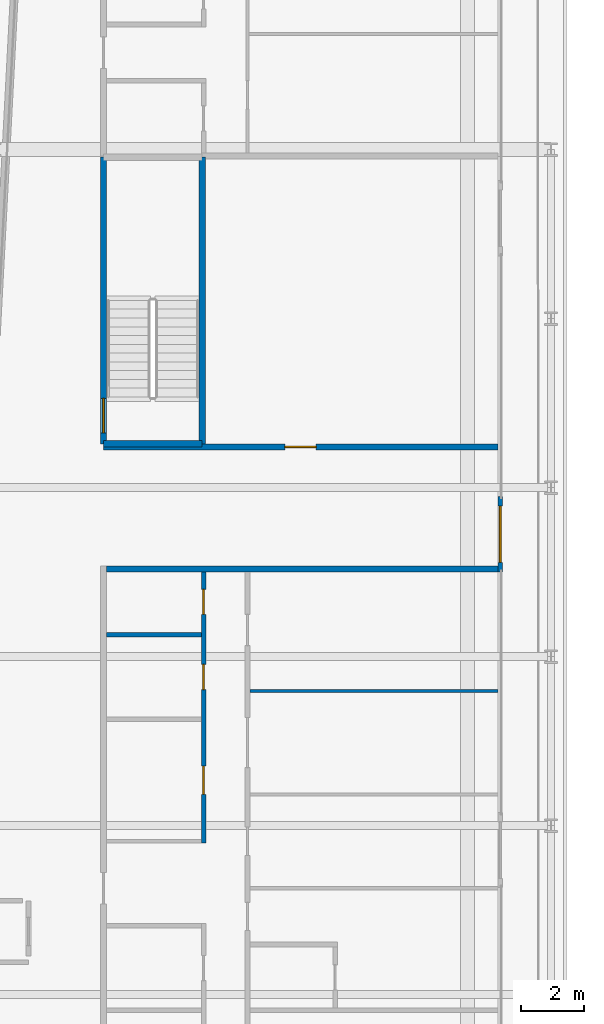
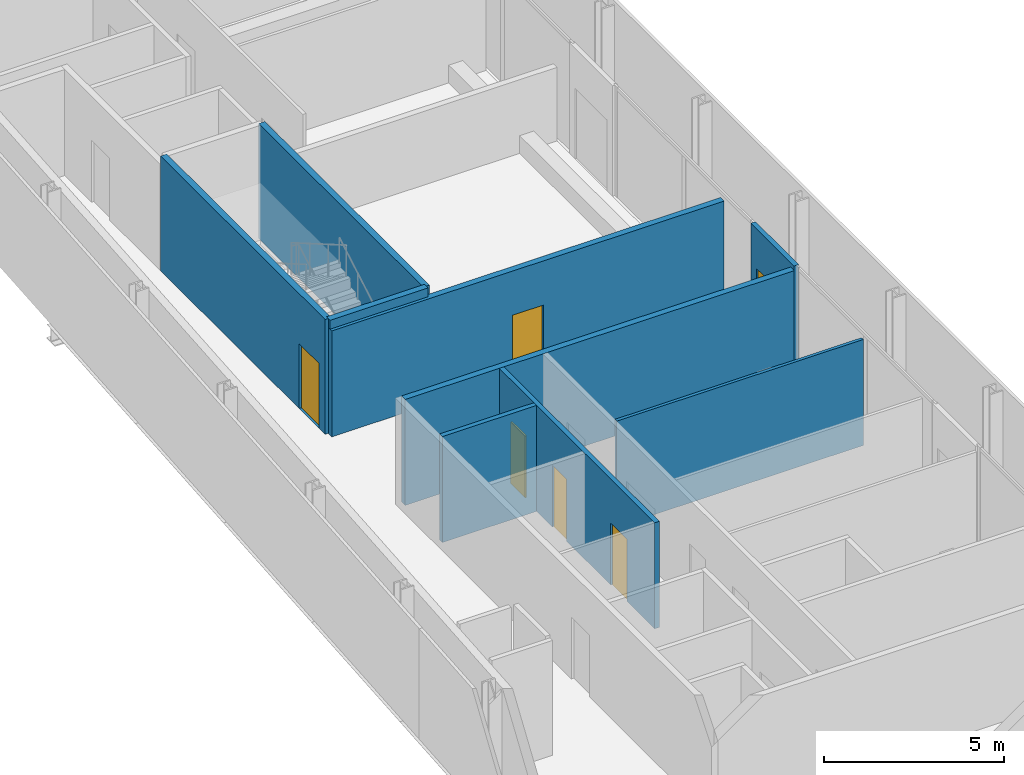
# One storey, part 19 of 29: 9 walls, 6 doors, 6 openings.
"""IFC4 building model written with IfcOpenShell, lengths in metres."""

from ifc_helpers import new_model, si_unit, direction, frame, frame_2d, origin, place, context, subcontext, project, spatial, rectangle, extrude, source, transform, mapped, material, layer, layer_set, type_object, element, fill, save


model = new_model("IFC4")

# Units and contexts
model_context = context("Model", 3, precision=1e-05, world=origin(), true_north=direction((0.0, 1.0)))
body_context = subcontext(model_context, "Body", "Model", "MODEL_VIEW")
ifc_project = project(units=[si_unit("LENGTHUNIT", "METRE"), si_unit("AREAUNIT", "SQUARE_METRE"), si_unit("VOLUMEUNIT", "CUBIC_METRE"), si_unit("PLANEANGLEUNIT", "RADIAN"), si_unit("MASSUNIT", "GRAM", prefix="KILO")], contexts=[model_context])

# Site, building, storey
site_placement = place(None, origin())
site = spatial("IfcSite", under=ifc_project, at=site_placement, CompositionType="ELEMENT")
building_placement = place(site_placement, origin())
building = spatial("IfcBuilding", under=site, at=building_placement, Name="Kheshtan School and Residences Tower", CompositionType="ELEMENT")
storey_placement = place(building_placement, frame((0.0, 0.0, 168.199951171875)))
storey = spatial("IfcBuildingStorey", under=building, at=storey_placement, Name="L39", CompositionType="ELEMENT", Elevation=168.199951171875)

# Wall, opening, door
ifc_material_1 = material(Name="Gypsum board on steel studs with fire boards", Category="steel")
ifc_layer_1 = layer(ifc_material_1, 0.199951171875)
ifc_layer_set_1 = layer_set([ifc_layer_1], Name="Corridor wall 200")
wall_type_1 = type_object("IfcWallType", Name="Corridor wall 200", PredefinedType="PARTITIONING", material=ifc_layer_set_1)
wall_1_placement = place(storey_placement, frame((33.300048828125, 79.300048828125, 0.0), z_axis=(0.0, 0.0, 1.0), x_axis=(1.0, 0.0, 0.0)))
wall_1 = element("IfcWall", 1, at=wall_1_placement, inside=storey, type_object=wall_type_1, Name="Partition L39-004", PredefinedType="PARTITIONING", context=body_context, shape_type="SweptSolid", body=[
    extrude(rectangle(XDim=12.599853515625, YDim=0.199951171875, at=frame_2d((6.2998046875, 0.0))), origin(), (0.0, 0.0, 1.0), 3.60009765625),
])
opening_1_placement = place(wall_1_placement, frame((5.794921875, 0.0, 0.0)))
opening_1 = element("IfcOpeningElement", 2, at=opening_1_placement, cuts=wall_1, Name="Opening D39-052", PredefinedType="OPENING", context=body_context, shape_type="SweptSolid", body=[
    extrude(rectangle(XDim=1.0, YDim=2.10009765625, at=frame_2d((0.5, 1.050048828125))), frame((0.0, 0.10986328125, 0.0), z_axis=(0.0, -1.0, 0.0), x_axis=(1.0, 0.0, 0.0)), (0.0, 0.0, 1.0), 0.219970703125),
])
ifc_material_2 = material(Name="Steel-framed fire-resisting door leaf", Category="steel")
door_type_1 = type_object("IfcDoorType", Name="Fire door FD60 1000 x 2100", OperationType="SINGLE_SWING_LEFT", PredefinedType="DOOR", material=ifc_material_2)
shared_shape_1 = source(origin(), body_context, "Body", "SweptSolid", [
    extrude(rectangle(XDim=1.0, YDim=2.10009765625, at=frame_2d((0.5, 1.050048828125))), frame((0.0, 0.02490234375, 0.0), z_axis=(0.0, -1.0, 0.0), x_axis=(1.0, 0.0, 0.0)), (0.0, 0.0, 1.0), 0.050048828125),
])
door_1_placement = place(opening_1_placement, origin())
door_1 = element("IfcDoor", 3, at=door_1_placement, inside=storey, type_object=door_type_1, Name="Door D39-052", OperationType="SINGLE_SWING_RIGHT", OverallHeight=2.10009765625, OverallWidth=1.0, PredefinedType="DOOR", context=body_context, shape_type="MappedRepresentation", body=[
    mapped(shared_shape_1, transform((0.0, 0.0, 0.0), x_axis=(1.0, 0.0, 0.0), y_axis=(0.0, 1.0, 0.0), z_axis=(0.0, 0.0, 1.0), scale=1.0)),
])
fill(opening_1, door_1)

# Wall
wall_2_placement = place(storey_placement, frame((33.39990234375, 75.39990234375, 0.0), z_axis=(0.0, 0.0, 1.0), x_axis=(1.0, 0.0, 0.0)))
element("IfcWall", 4, at=wall_2_placement, inside=storey, type_object=wall_type_1, Name="Partition L39-013", PredefinedType="PARTITIONING", context=body_context, shape_type="SweptSolid", body=[
    extrude(rectangle(XDim=12.5, YDim=0.199951171875, at=frame_2d((6.25, 0.0))), origin(), (0.0, 0.0, 1.0), 3.60009765625),
])

# Wall, opening, door
ifc_material_3 = material(Name="Aluminium frame wall with insulated infill", Category="aluminium")
ifc_layer_2 = layer(ifc_material_3, 0.14990234375)
ifc_layer_set_2 = layer_set([ifc_layer_2], Name="Glazing frame wall 150")
wall_type_2 = type_object("IfcWallType", Name="Glazing frame wall 150", PredefinedType="SOLIDWALL", material=ifc_layer_set_2)
wall_3_placement = place(storey_placement, frame((45.97509765625, 77.7119140625, 0.0), z_axis=(0.0, 0.0, 1.0), x_axis=(0.0, -1.0, 0.0)))
wall_3 = element("IfcWall", 5, at=wall_3_placement, inside=storey, type_object=wall_type_2, Name="Balcony door wall L39 8.3", PredefinedType="SOLIDWALL", context=body_context, shape_type="SweptSolid", body=[
    extrude(rectangle(XDim=2.39990234375, YDim=0.14990234375, at=frame_2d((1.199951171875, 0.0))), origin(), (0.0, 0.0, 1.0), 3.75),
])
opening_2_placement = place(wall_3_placement, frame((0.300048828125, 0.0, 0.0)))
opening_2 = element("IfcOpeningElement", 6, at=opening_2_placement, cuts=wall_3, Name="Opening BD", PredefinedType="OPENING", context=body_context, shape_type="SweptSolid", body=[
    extrude(rectangle(XDim=1.800048828125, YDim=2.39990234375, at=frame_2d((0.89990234375, 1.199951171875))), frame((0.0, 0.0849609375, 0.0), z_axis=(0.0, -1.0, 0.0), x_axis=(1.0, 0.0, 0.0)), (0.0, 0.0, 1.0), 0.169921875),
])
ifc_material_4 = material(Name="Clear low-e glass in thermally broken aluminium frame", Category="aluminium")
door_type_2 = type_object("IfcDoorType", Name="Balcony sliding door", OperationType="SLIDING_TO_LEFT", PredefinedType="DOOR", material=ifc_material_4)
shared_shape_2 = source(origin(), body_context, "Body", "SweptSolid", [
    extrude(rectangle(XDim=1.800048828125, YDim=2.39990234375, at=frame_2d((0.89990234375, 1.199951171875))), frame((0.0, 0.02490234375, 0.0), z_axis=(0.0, -1.0, 0.0), x_axis=(1.0, 0.0, 0.0)), (0.0, 0.0, 1.0), 0.050048828125),
])
door_2_placement = place(opening_2_placement, origin())
door_2 = element("IfcDoor", 7, at=door_2_placement, inside=storey, type_object=door_type_2, Name="Balcony door L39 8.3", OperationType="SLIDING_TO_LEFT", OverallHeight=2.39990234375, OverallWidth=1.800048828125, PredefinedType="DOOR", context=body_context, shape_type="MappedRepresentation", body=[
    mapped(shared_shape_2, transform((0.0, 0.0, 0.0), x_axis=(1.0, 0.0, 0.0), y_axis=(0.0, 1.0, 0.0), z_axis=(0.0, 0.0, 1.0), scale=1.0)),
])
fill(opening_2, door_2)

# Walls
ifc_material_5 = material(Name="Gypsum board on steel studs", Category="steel")
ifc_layer_3 = layer(ifc_material_5, 0.10009765625)
ifc_layer_set_3 = layer_set([ifc_layer_3], Name="Gypsum partition 100")
wall_type_3 = type_object("IfcWallType", Name="Gypsum partition 100", PredefinedType="PARTITIONING", material=ifc_layer_set_3)
wall_4_placement = place(storey_placement, frame((37.97509765625, 71.5, 0.0), z_axis=(0.0, 0.0, 1.0), x_axis=(1.0, 0.0, 0.0)))
element("IfcWall", 8, at=wall_4_placement, inside=storey, type_object=wall_type_3, Name="Partition L39-032", PredefinedType="PARTITIONING", context=body_context, shape_type="SweptSolid", body=[
    extrude(rectangle(XDim=7.9248046875, YDim=0.10009765625, at=frame_2d((3.96240234375, 0.0))), origin(), (0.0, 0.0, 1.0), 3.60009765625),
])
ifc_material_6 = material(Name="Concrete C40/50", Category="concrete")
ifc_layer_4 = layer(ifc_material_6, 0.199951171875)
ifc_layer_set_4 = layer_set([ifc_layer_4], Name="Stair enclosure wall 200 Concrete C40/50")
wall_type_4 = type_object("IfcWallType", Name="Stair enclosure wall 200 Concrete C40/50", PredefinedType="SHEAR", material=ifc_layer_set_4)
wall_5_placement = place(storey_placement, frame((33.300048828125, 79.39990234375, 0.0), z_axis=(0.0, 0.0, 1.0), x_axis=(1.0, 0.0, 0.0)))
element("IfcWall", 9, at=wall_5_placement, inside=storey, type_object=wall_type_4, Name="Stair enclosure wall ST3", PredefinedType="SHEAR", context=body_context, shape_type="SweptSolid", body=[
    extrude(rectangle(XDim=3.14990234375, YDim=0.199951171875, at=frame_2d((1.574951171875, 0.0))), origin(), (0.0, 0.0, 1.0), 3.900146484375),
])

# Wall, opening, door
wall_6_placement = place(storey_placement, frame((33.300048828125, 79.39990234375, 0.0), z_axis=(0.0, 0.0, 1.0), x_axis=(0.0, 1.0, 0.0)))
wall_6 = element("IfcWall", 10, at=wall_6_placement, inside=storey, type_object=wall_type_4, Name="Stair enclosure wall ST3", PredefinedType="SHEAR", context=body_context, shape_type="SweptSolid", body=[
    extrude(rectangle(XDim=9.16015625, YDim=0.199951171875, at=frame_2d((4.580078125, 0.0))), origin(), (0.0, 0.0, 1.0), 3.900146484375),
])
opening_3_placement = place(wall_6_placement, frame((0.35009765625, 0.0, 0.0)))
opening_3 = element("IfcOpeningElement", 11, at=opening_3_placement, cuts=wall_6, Name="Opening ST3D", PredefinedType="OPENING", context=body_context, shape_type="SweptSolid", body=[
    extrude(rectangle(XDim=1.10009765625, YDim=2.199951171875, at=frame_2d((0.550048828125, 1.10009765625))), frame((0.0, 0.10986328125, 0.0), z_axis=(0.0, -1.0, 0.0), x_axis=(1.0, 0.0, 0.0)), (0.0, 0.0, 1.0), 0.219970703125),
])
ifc_material_7 = material(Name="Steel door leaf, galvanised", Category="steel")
door_type_3 = type_object("IfcDoorType", Name="Stair door 1100 steel 90 min", OperationType="SINGLE_SWING_LEFT", PredefinedType="DOOR", material=ifc_material_7)
shared_shape_3 = source(origin(), body_context, "Body", "SweptSolid", [
    extrude(rectangle(XDim=1.10009765625, YDim=2.199951171875, at=frame_2d((0.550048828125, 1.10009765625))), frame((0.0, 0.02490234375, 0.0), z_axis=(0.0, -1.0, 0.0), x_axis=(1.0, 0.0, 0.0)), (0.0, 0.0, 1.0), 0.050048828125),
])
door_3_placement = place(opening_3_placement, origin())
door_3 = element("IfcDoor", 12, at=door_3_placement, inside=storey, type_object=door_type_3, Name="Stair ST3 door", OperationType="SINGLE_SWING_RIGHT", OverallHeight=2.199951171875, OverallWidth=1.10009765625, PredefinedType="DOOR", context=body_context, shape_type="MappedRepresentation", body=[
    mapped(shared_shape_3, transform((0.0, 0.0, 0.0), x_axis=(1.0, 0.0, 0.0), y_axis=(0.0, 1.0, 0.0), z_axis=(0.0, 0.0, 1.0), scale=1.0)),
])
fill(opening_3, door_3)

# Walls
wall_7_placement = place(storey_placement, frame((36.449951171875, 79.39990234375, 0.0), z_axis=(0.0, 0.0, 1.0), x_axis=(0.0, 1.0, 0.0)))
element("IfcWall", 13, at=wall_7_placement, inside=storey, type_object=wall_type_4, Name="Stair enclosure wall ST3", PredefinedType="SHEAR", context=body_context, shape_type="SweptSolid", body=[
    extrude(rectangle(XDim=9.16015625, YDim=0.199951171875, at=frame_2d((4.580078125, 0.0))), origin(), (0.0, 0.0, 1.0), 3.900146484375),
])
ifc_material_8 = material(Name="Moisture-resistant gypsum board on steel studs", Category="steel")
ifc_layer_5 = layer(ifc_material_8, 0.14990234375)
ifc_layer_set_5 = layer_set([ifc_layer_5], Name="Wet-room partition 150")
wall_type_5 = type_object("IfcWallType", Name="Wet-room partition 150", PredefinedType="PARTITIONING", material=ifc_layer_set_5)
wall_8_placement = place(storey_placement, frame((33.39990234375, 73.300048828125, 0.0), z_axis=(0.0, 0.0, 1.0), x_axis=(1.0, 0.0, 0.0)))
element("IfcWall", 14, at=wall_8_placement, inside=storey, type_object=wall_type_5, Name="Partition L39-012", PredefinedType="PARTITIONING", context=body_context, shape_type="SweptSolid", body=[
    extrude(rectangle(XDim=3.025146484375, YDim=0.14990234375, at=frame_2d((1.5126953125, 0.0))), origin(), (0.0, 0.0, 1.0), 3.60009765625),
])

# Wall, openings, doors
wall_9_placement = place(storey_placement, frame((36.5, 66.64990234375, 0.0), z_axis=(0.0, 0.0, 1.0), x_axis=(0.0, 1.0, 0.0)))
wall_9 = element("IfcWall", 15, at=wall_9_placement, inside=storey, type_object=wall_type_5, Name="Partition L39-022", PredefinedType="PARTITIONING", context=body_context, shape_type="SweptSolid", body=[
    extrude(rectangle(XDim=8.650146484375, YDim=0.14990234375, at=frame_2d((4.3251953125, 0.0))), origin(), (0.0, 0.0, 1.0), 3.60009765625),
])
opening_4_placement = place(wall_9_placement, frame((4.89990234375, 0.0, 0.0)))
opening_4 = element("IfcOpeningElement", 16, at=opening_4_placement, cuts=wall_9, Name="Opening D39-031", PredefinedType="OPENING", context=body_context, shape_type="SweptSolid", body=[
    extrude(rectangle(XDim=0.800048828125, YDim=2.10009765625, at=frame_2d((0.39990234375, 1.050048828125))), frame((0.0, 0.0849609375, 0.0), z_axis=(0.0, -1.0, 0.0), x_axis=(1.0, 0.0, 0.0)), (0.0, 0.0, 1.0), 0.169921875),
])
opening_5_placement = place(wall_9_placement, frame((1.550048828125, 0.0, 0.0)))
opening_5 = element("IfcOpeningElement", 17, at=opening_5_placement, cuts=wall_9, Name="Opening D39-036", PredefinedType="OPENING", context=body_context, shape_type="SweptSolid", body=[
    extrude(rectangle(XDim=0.89990234375, YDim=2.10009765625, at=frame_2d((0.449951171875, 1.050048828125))), frame((0.0, 0.0849609375, 0.0), z_axis=(0.0, -1.0, 0.0), x_axis=(1.0, 0.0, 0.0)), (0.0, 0.0, 1.0), 0.169921875),
])
opening_6_placement = place(wall_9_placement, frame((7.300048828125, 0.0, 0.0)))
opening_6 = element("IfcOpeningElement", 18, at=opening_6_placement, cuts=wall_9, Name="Opening D39-042", PredefinedType="OPENING", context=body_context, shape_type="SweptSolid", body=[
    extrude(rectangle(XDim=0.800048828125, YDim=2.10009765625, at=frame_2d((0.39990234375, 1.050048828125))), frame((0.0, 0.0849609375, 0.0), z_axis=(0.0, -1.0, 0.0), x_axis=(1.0, 0.0, 0.0)), (0.0, 0.0, 1.0), 0.169921875),
])
ifc_material_9 = material(Name="Veneered timber door leaf", Category="wood")
door_type_4 = type_object("IfcDoorType", Name="Door 800 x 2100", OperationType="SINGLE_SWING_LEFT", PredefinedType="DOOR", material=ifc_material_9)
shared_shape_4 = source(origin(), body_context, "Body", "SweptSolid", [
    extrude(rectangle(XDim=0.800048828125, YDim=2.10009765625, at=frame_2d((0.39990234375, 1.050048828125))), frame((0.0, 0.02490234375, 0.0), z_axis=(0.0, -1.0, 0.0), x_axis=(1.0, 0.0, 0.0)), (0.0, 0.0, 1.0), 0.050048828125),
])
door_4_placement = place(opening_4_placement, origin())
door_4 = element("IfcDoor", 19, at=door_4_placement, inside=storey, type_object=door_type_4, Name="Door D39-031", OperationType="SINGLE_SWING_LEFT", OverallHeight=2.10009765625, OverallWidth=0.800048828125, PredefinedType="DOOR", context=body_context, shape_type="MappedRepresentation", body=[
    mapped(shared_shape_4, transform((0.0, 0.0, 0.0), x_axis=(1.0, 0.0, 0.0), y_axis=(0.0, 1.0, 0.0), z_axis=(0.0, 0.0, 1.0), scale=1.0)),
])
fill(opening_4, door_4)
door_5_placement = place(opening_6_placement, origin())
door_5 = element("IfcDoor", 20, at=door_5_placement, inside=storey, type_object=door_type_4, Name="Door D39-042", OperationType="SINGLE_SWING_LEFT", OverallHeight=2.10009765625, OverallWidth=0.800048828125, PredefinedType="DOOR", context=body_context, shape_type="MappedRepresentation", body=[
    mapped(shared_shape_4, transform((0.0, 0.0, 0.0), x_axis=(1.0, 0.0, 0.0), y_axis=(0.0, 1.0, 0.0), z_axis=(0.0, 0.0, 1.0), scale=1.0)),
])
fill(opening_6, door_5)
door_type_5 = type_object("IfcDoorType", Name="Door 900 x 2100", OperationType="SINGLE_SWING_LEFT", PredefinedType="DOOR", material=ifc_material_9)
shared_shape_5 = source(origin(), body_context, "Body", "SweptSolid", [
    extrude(rectangle(XDim=0.89990234375, YDim=2.10009765625, at=frame_2d((0.449951171875, 1.050048828125))), frame((0.0, 0.02490234375, 0.0), z_axis=(0.0, -1.0, 0.0), x_axis=(1.0, 0.0, 0.0)), (0.0, 0.0, 1.0), 0.050048828125),
])
door_6_placement = place(opening_5_placement, origin())
door_6 = element("IfcDoor", 21, at=door_6_placement, inside=storey, type_object=door_type_5, Name="Door D39-036", OperationType="SINGLE_SWING_RIGHT", OverallHeight=2.10009765625, OverallWidth=0.89990234375, PredefinedType="DOOR", context=body_context, shape_type="MappedRepresentation", body=[
    mapped(shared_shape_5, transform((0.0, 0.0, 0.0), x_axis=(1.0, 0.0, 0.0), y_axis=(0.0, 1.0, 0.0), z_axis=(0.0, 0.0, 1.0), scale=1.0)),
])
fill(opening_5, door_6)

save(model, "model.ifc")
